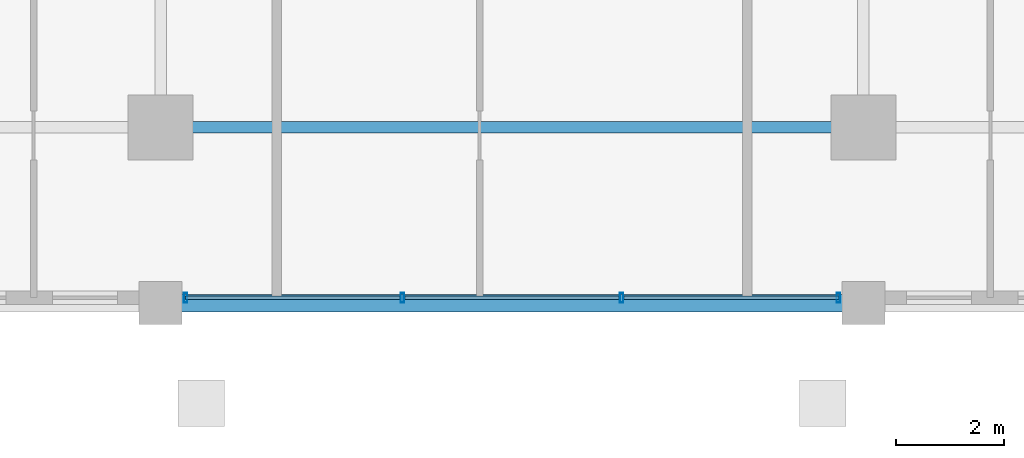
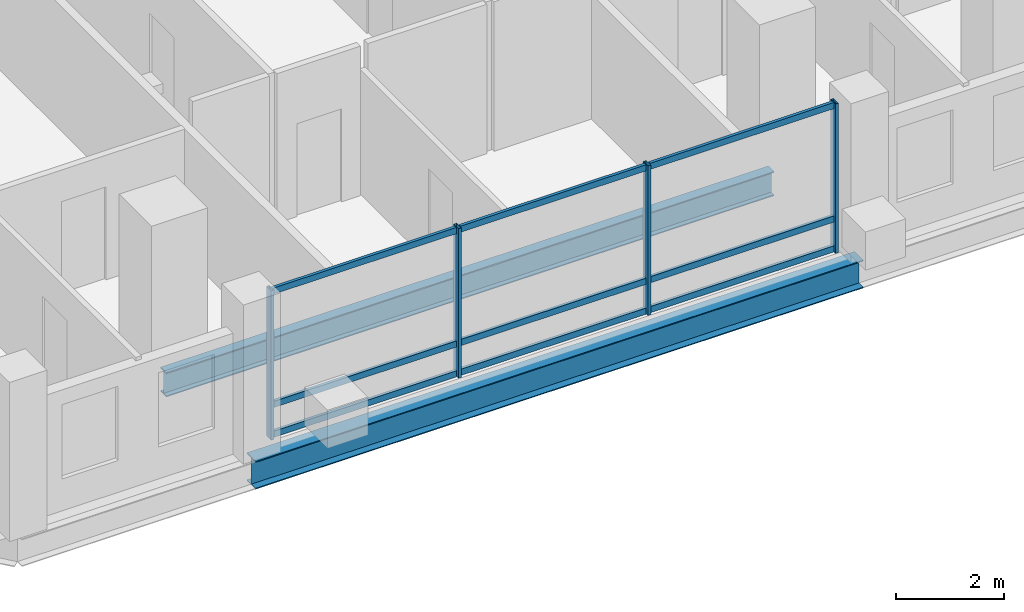
# One storey, part 2 of 20: 13 members, 2 beams, 1 element without a shape of its own.
"""IFC4 building model written with IfcOpenShell, lengths in metres."""

from ifc_helpers import new_model, si_unit, direction, frame, origin, origin_2d, place, context, subcontext, project, spatial, hollow_rectangle, i_section, extrude, material, layer, layer_set, material_profile, profile_set, type_object, element, aggregate, save


model = new_model("IFC4")

# Units and contexts
model_context = context("Model", 3, precision=1e-05, world=origin(), true_north=direction((0.0, 1.0)))
body_context = subcontext(model_context, "Body", "Model", "MODEL_VIEW")
ifc_project = project(units=[si_unit("LENGTHUNIT", "METRE"), si_unit("AREAUNIT", "SQUARE_METRE"), si_unit("VOLUMEUNIT", "CUBIC_METRE"), si_unit("PLANEANGLEUNIT", "RADIAN"), si_unit("MASSUNIT", "GRAM", prefix="KILO")], contexts=[model_context])

# Site, building, storey
site_placement = place(None, origin())
site = spatial("IfcSite", under=ifc_project, at=site_placement, CompositionType="ELEMENT")
building_placement = place(site_placement, origin())
building = spatial("IfcBuilding", under=site, at=building_placement, Name="Barlavira Tower and Art Museum", CompositionType="ELEMENT")
storey_placement = place(building_placement, frame((0.0, 0.0, 102.60009765625)))
storey = spatial("IfcBuildingStorey", under=building, at=storey_placement, Name="L25", CompositionType="ELEMENT", Elevation=102.60009765625)

# Curtain wall, members
ifc_material_1 = material(Name="Low-iron coastal laminated glass", Category="glass")
ifc_layer = layer(ifc_material_1, 0.18994140625, Name="Low-iron coastal laminated glass")
ifc_layer_set = layer_set([ifc_layer], Name="Low-iron coastal laminated glass")
curtain_wall_type = type_object("IfcCurtainWallType", Name="Pale-Metal Unitised Curtain Wall Zone 2", PredefinedType="NOTDEFINED", material=ifc_layer_set)
curtain_wall_placement = place(storey_placement, origin())
curtain_wall = element("IfcCurtainWall", 1, at=curtain_wall_placement, inside=storey, type_object=curtain_wall_type, Name="L25 Curtain Wall CW2-L25-S-B3", PredefinedType="NOTDEFINED")
ifc_material_2 = material(Name="Pale anodised aluminium", Category="aluminium")
ifc_material_profile_1 = material_profile(ifc_material_2, hollow_rectangle(XDim=0.06494140625, YDim=0.179931640625, WallThickness=0.00390625, at=origin_2d()), Name="ALU-MULL 65x180x4")
ifc_profile_set_1 = profile_set([ifc_material_profile_1], Name="Pale anodised aluminium")
member_type_1 = type_object("IfcMemberType", Name="Curtain Wall Pale-Metal Mullion 65x180", PredefinedType="MULLION", material=ifc_profile_set_1)
member_1_placement = place(storey_placement, frame((-6.034912109375, -23.14990234375, 0.0), z_axis=(0.0, 0.0, 1.0), x_axis=(1.0, 0.0, 0.0)))
member_1 = element("IfcMember", 2, at=member_1_placement, type_object=member_type_1, Name="CW2-L25-S-B3 Mullion 0", PredefinedType="MULLION", context=body_context, shape_type="SweptSolid", body=[
    extrude(hollow_rectangle(XDim=0.06494140625, YDim=0.179931640625, WallThickness=0.00390625, at=origin_2d()), origin(), (0.0, 0.0, 1.0), 3.3798828125),
])
member_2_placement = place(storey_placement, frame((-2.026611328125, -23.14990234375, 0.0), z_axis=(0.0, 0.0, 1.0), x_axis=(1.0, 0.0, 0.0)))
member_2 = element("IfcMember", 3, at=member_2_placement, type_object=member_type_1, Name="CW2-L25-S-B3 Mullion 1", PredefinedType="MULLION", context=body_context, shape_type="SweptSolid", body=[
    extrude(hollow_rectangle(XDim=0.06494140625, YDim=0.179931640625, WallThickness=0.00390625, at=origin_2d()), origin(), (0.0, 0.0, 1.0), 3.3798828125),
])
member_3_placement = place(storey_placement, frame((2.026611328125, -23.14990234375, 0.0), z_axis=(0.0, 0.0, 1.0), x_axis=(1.0, 0.0, 0.0)))
member_3 = element("IfcMember", 4, at=member_3_placement, type_object=member_type_1, Name="CW2-L25-S-B3 Mullion 2", PredefinedType="MULLION", context=body_context, shape_type="SweptSolid", body=[
    extrude(hollow_rectangle(XDim=0.06494140625, YDim=0.179931640625, WallThickness=0.00390625, at=origin_2d()), origin(), (0.0, 0.0, 1.0), 3.3798828125),
])
member_4_placement = place(storey_placement, frame((6.034912109375, -23.14990234375, 0.0), z_axis=(0.0, 0.0, 1.0), x_axis=(1.0, 0.0, 0.0)))
member_4 = element("IfcMember", 5, at=member_4_placement, type_object=member_type_1, Name="CW2-L25-S-B3 Mullion 3", PredefinedType="MULLION", context=body_context, shape_type="SweptSolid", body=[
    extrude(hollow_rectangle(XDim=0.06494140625, YDim=0.179931640625, WallThickness=0.00390625, at=origin_2d()), origin(), (0.0, 0.0, 1.0), 3.3798828125),
])
ifc_material_profile_2 = material_profile(ifc_material_2, hollow_rectangle(XDim=0.06494140625, YDim=0.139892578125, WallThickness=0.00390625, at=origin_2d()), Name="ALU-TRAN 65x140x4")
ifc_profile_set_2 = profile_set([ifc_material_profile_2], Name="Pale anodised aluminium")
member_type_2 = type_object("IfcMemberType", Name="Curtain Wall Pale-Metal Transom 65x140", PredefinedType="USERDEFINED", material=ifc_profile_set_2)
member_5_placement = place(storey_placement, frame((-6.034912109375, -23.14990234375, 0.06982421875), z_axis=(1.0, 0.0, 0.0), x_axis=(0.0, 1.0, 0.0)))
member_5 = element("IfcMember", 6, at=member_5_placement, type_object=member_type_2, Name="CW2-L25-S-B3 Transom 0.1", ObjectType="TRANSOM", PredefinedType="USERDEFINED", context=body_context, shape_type="SweptSolid", body=[
    extrude(hollow_rectangle(XDim=0.06494140625, YDim=0.139892578125, WallThickness=0.00390625, at=origin_2d()), origin(), (0.0, 0.0, 1.0), 3.963134765625),
])
member_6_placement = place(storey_placement, frame((-6.034912109375, -23.14990234375, 0.743896484375), z_axis=(1.0, 0.0, 0.0), x_axis=(0.0, 1.0, 0.0)))
member_6 = element("IfcMember", 7, at=member_6_placement, type_object=member_type_2, Name="CW2-L25-S-B3 Transom 0.2", ObjectType="TRANSOM", PredefinedType="USERDEFINED", context=body_context, shape_type="SweptSolid", body=[
    extrude(hollow_rectangle(XDim=0.06494140625, YDim=0.139892578125, WallThickness=0.00390625, at=origin_2d()), origin(), (0.0, 0.0, 1.0), 3.963134765625),
])
member_7_placement = place(storey_placement, frame((-6.034912109375, -23.14990234375, 3.309814453125), z_axis=(1.0, 0.0, 0.0), x_axis=(0.0, 1.0, 0.0)))
member_7 = element("IfcMember", 8, at=member_7_placement, type_object=member_type_2, Name="CW2-L25-S-B3 Transom 0.3", ObjectType="TRANSOM", PredefinedType="USERDEFINED", context=body_context, shape_type="SweptSolid", body=[
    extrude(hollow_rectangle(XDim=0.06494140625, YDim=0.139892578125, WallThickness=0.00390625, at=origin_2d()), origin(), (0.0, 0.0, 1.0), 3.963134765625),
])
member_8_placement = place(storey_placement, frame((-1.981689453125, -23.14990234375, 0.06982421875), z_axis=(1.0, 0.0, 0.0), x_axis=(0.0, 1.0, 0.0)))
member_8 = element("IfcMember", 9, at=member_8_placement, type_object=member_type_2, Name="CW2-L25-S-B3 Transom 1.1", ObjectType="TRANSOM", PredefinedType="USERDEFINED", context=body_context, shape_type="SweptSolid", body=[
    extrude(hollow_rectangle(XDim=0.06494140625, YDim=0.139892578125, WallThickness=0.00390625, at=origin_2d()), origin(), (0.0, 0.0, 1.0), 3.96337890625),
])
member_9_placement = place(storey_placement, frame((-1.981689453125, -23.14990234375, 0.743896484375), z_axis=(1.0, 0.0, 0.0), x_axis=(0.0, 1.0, 0.0)))
member_9 = element("IfcMember", 10, at=member_9_placement, type_object=member_type_2, Name="CW2-L25-S-B3 Transom 1.2", ObjectType="TRANSOM", PredefinedType="USERDEFINED", context=body_context, shape_type="SweptSolid", body=[
    extrude(hollow_rectangle(XDim=0.06494140625, YDim=0.139892578125, WallThickness=0.00390625, at=origin_2d()), origin(), (0.0, 0.0, 1.0), 3.96337890625),
])
member_10_placement = place(storey_placement, frame((-1.981689453125, -23.14990234375, 3.309814453125), z_axis=(1.0, 0.0, 0.0), x_axis=(0.0, 1.0, 0.0)))
member_10 = element("IfcMember", 11, at=member_10_placement, type_object=member_type_2, Name="CW2-L25-S-B3 Transom 1.3", ObjectType="TRANSOM", PredefinedType="USERDEFINED", context=body_context, shape_type="SweptSolid", body=[
    extrude(hollow_rectangle(XDim=0.06494140625, YDim=0.139892578125, WallThickness=0.00390625, at=origin_2d()), origin(), (0.0, 0.0, 1.0), 3.96337890625),
])
member_11_placement = place(storey_placement, frame((2.07177734375, -23.14990234375, 0.06982421875), z_axis=(1.0, 0.0, 0.0), x_axis=(0.0, 1.0, 0.0)))
member_11 = element("IfcMember", 12, at=member_11_placement, type_object=member_type_2, Name="CW2-L25-S-B3 Transom 2.1", ObjectType="TRANSOM", PredefinedType="USERDEFINED", context=body_context, shape_type="SweptSolid", body=[
    extrude(hollow_rectangle(XDim=0.06494140625, YDim=0.139892578125, WallThickness=0.00390625, at=origin_2d()), origin(), (0.0, 0.0, 1.0), 3.963134765625),
])
member_12_placement = place(storey_placement, frame((2.07177734375, -23.14990234375, 0.743896484375), z_axis=(1.0, 0.0, 0.0), x_axis=(0.0, 1.0, 0.0)))
member_12 = element("IfcMember", 13, at=member_12_placement, type_object=member_type_2, Name="CW2-L25-S-B3 Transom 2.2", ObjectType="TRANSOM", PredefinedType="USERDEFINED", context=body_context, shape_type="SweptSolid", body=[
    extrude(hollow_rectangle(XDim=0.06494140625, YDim=0.139892578125, WallThickness=0.00390625, at=origin_2d()), origin(), (0.0, 0.0, 1.0), 3.963134765625),
])
member_13_placement = place(storey_placement, frame((2.07177734375, -23.14990234375, 3.309814453125), z_axis=(1.0, 0.0, 0.0), x_axis=(0.0, 1.0, 0.0)))
member_13 = element("IfcMember", 14, at=member_13_placement, type_object=member_type_2, Name="CW2-L25-S-B3 Transom 2.3", ObjectType="TRANSOM", PredefinedType="USERDEFINED", context=body_context, shape_type="SweptSolid", body=[
    extrude(hollow_rectangle(XDim=0.06494140625, YDim=0.139892578125, WallThickness=0.00390625, at=origin_2d()), origin(), (0.0, 0.0, 1.0), 3.963134765625),
])
aggregate(curtain_wall, [member_1, member_2, member_3, member_4, member_5, member_6, member_7, member_8, member_9, member_10, member_11, member_12, member_13])

# Beams
ifc_material_3 = material(Name="Steel S355", Category="steel")
ifc_material_profile_3 = material_profile(ifc_material_3, i_section(OverallWidth=0.327880859375, OverallDepth=0.62890625, WebThickness=0.013916015625, FlangeThickness=0.021484375, at=origin_2d()), Name="W610x174.0")
ifc_profile_set_3 = profile_set([ifc_material_profile_3], Name="Steel S355")
beam_type_1 = type_object("IfcBeamType", Name="Perimeter Spandrel Edge Beam W610x174 Steel S355", PredefinedType="SPANDREL", material=ifc_profile_set_3)
beam_1_placement = place(storey_placement, frame((-6.5, -23.25, -0.53466796875), z_axis=(1.0, 0.0, 0.0), x_axis=(0.0, 1.0, 0.0)))
element("IfcBeam", 15, at=beam_1_placement, inside=storey, type_object=beam_type_1, Name="L25 Spandrel 2", PredefinedType="SPANDREL", context=body_context, shape_type="SweptSolid", body=[
    extrude(i_section(OverallWidth=0.327880859375, OverallDepth=0.62890625, WebThickness=0.013916015625, FlangeThickness=0.021484375, at=origin_2d()), origin(), (0.0, 0.0, 1.0), 13.0),
])
ifc_material_profile_4 = material_profile(ifc_material_3, i_section(OverallWidth=0.214111328125, OverallDepth=0.549072265625, WebThickness=0.0146484375, FlangeThickness=0.023681640625, at=origin_2d()), Name="W530x138.0")
ifc_profile_set_4 = profile_set([ifc_material_profile_4], Name="Steel S355")
beam_type_2 = type_object("IfcBeamType", Name="Zone 1 Primary Floor Girder W530x138 Steel S355", PredefinedType="BEAM", material=ifc_profile_set_4)
beam_2_placement = place(storey_placement, frame((-6.5, -20.0, -0.49462890625), z_axis=(1.0, 0.0, 0.0), x_axis=(0.0, 1.0, 0.0)))
element("IfcBeam", 16, at=beam_2_placement, inside=storey, type_object=beam_type_2, Name="L25 Girder M-S2", PredefinedType="BEAM", context=body_context, shape_type="SweptSolid", body=[
    extrude(i_section(OverallWidth=0.214111328125, OverallDepth=0.549072265625, WebThickness=0.0146484375, FlangeThickness=0.023681640625, at=origin_2d()), origin(), (0.0, 0.0, 1.0), 13.0),
])

save(model, "model.ifc")
